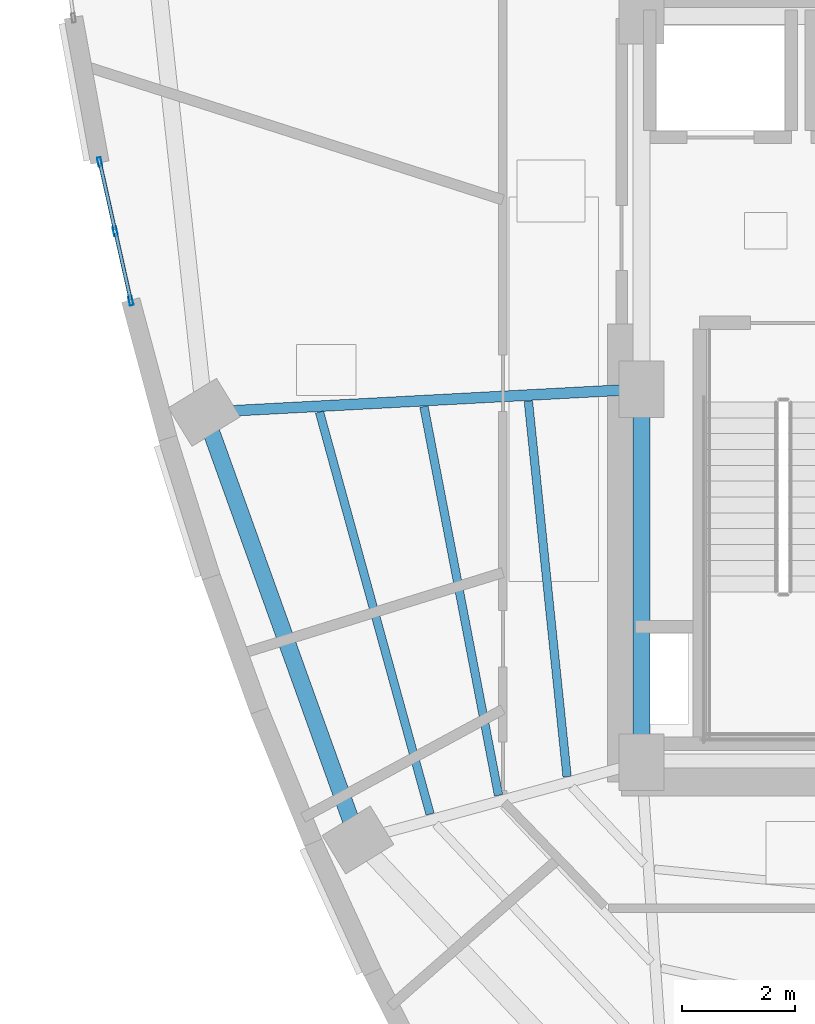
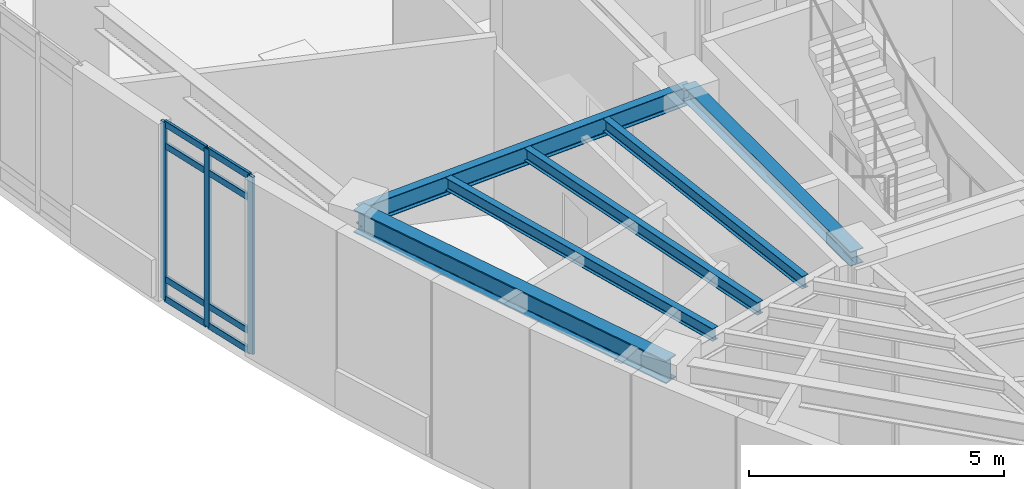
# One storey, part 3 of 14: 11 members, 6 beams, 1 element without a shape of its own.
"""IFC4 building model written with IfcOpenShell, lengths in metres."""

from ifc_helpers import new_model, si_unit, direction, frame, origin, origin_2d, place, context, subcontext, project, spatial, hollow_rectangle, i_section, extrude, material, layer, layer_set, material_profile, profile_set, type_object, element, aggregate, save


model = new_model("IFC4")

# Units and contexts
model_context = context("Model", 3, precision=1e-05, world=origin(), true_north=direction((0.0, 1.0)))
body_context = subcontext(model_context, "Body", "Model", "MODEL_VIEW")
ifc_project = project(units=[si_unit("LENGTHUNIT", "METRE"), si_unit("AREAUNIT", "SQUARE_METRE"), si_unit("VOLUMEUNIT", "CUBIC_METRE"), si_unit("PLANEANGLEUNIT", "RADIAN"), si_unit("MASSUNIT", "GRAM", prefix="KILO")], contexts=[model_context])

# Site, building, storey
site_placement = place(None, origin())
site = spatial("IfcSite", under=ifc_project, at=site_placement, CompositionType="ELEMENT")
building_placement = place(site_placement, origin())
building = spatial("IfcBuilding", under=site, at=building_placement, Name="Ndelora Gate Hotel", CompositionType="ELEMENT")
storey_placement = place(building_placement, frame((0.0, 0.0, 178.25)))
storey = spatial("IfcBuildingStorey", under=building, at=storey_placement, Name="L44", CompositionType="ELEMENT", Elevation=178.25)

# Beams
ifc_material_1 = material(Name="Steel S355", Category="steel")
ifc_material_profile_1 = material_profile(ifc_material_1, i_section(OverallWidth=0.300048828125, OverallDepth=0.35009765625, WebThickness=0.010009765625, FlangeThickness=0.017578125, FilletRadius=0.027099609375, at=origin_2d()), Name="HEA 360")
ifc_profile_set_1 = profile_set([ifc_material_profile_1], Name="Steel S355")
beam_type_1 = type_object("IfcBeamType", Name="BM-CORE-350", PredefinedType="BEAM", material=ifc_profile_set_1)
beam_1_placement = place(storey_placement, frame((-8.0, -6.60009765625, 4.074951171875), z_axis=(0.0, 1.0, 0.0), x_axis=(-1.0, 0.0, 0.0)))
element("IfcBeam", 1, at=beam_1_placement, inside=storey, type_object=beam_type_1, Name="L44 Core Tie Girder CC1-CC8", PredefinedType="BEAM", context=body_context, shape_type="SweptSolid", body=[
    extrude(i_section(OverallWidth=0.300048828125, OverallDepth=0.35009765625, WebThickness=0.010009765625, FlangeThickness=0.017578125, FilletRadius=0.027099609375, at=origin_2d()), origin(), (0.0, 0.0, 1.0), 6.60009765625),
])
ifc_material_profile_2 = material_profile(ifc_material_1, i_section(OverallWidth=0.14990234375, OverallDepth=0.300048828125, WebThickness=0.007080078125, FlangeThickness=0.0107421875, FilletRadius=0.014892578125, at=origin_2d()), Name="IPE 300")
ifc_profile_set_2 = profile_set([ifc_material_profile_2], Name="Steel S355")
beam_type_2 = type_object("IfcBeamType", Name="BM-JST-300", PredefinedType="JOIST", material=ifc_profile_set_2)
beam_2_placement = place(storey_placement, frame((-9.9990234375, -0.21142578125, 4.10009765625), z_axis=(0.10260596827, -0.994722079415, 0.0), x_axis=(0.994722079415, 0.10260596827, 0.0)))
element("IfcBeam", 2, at=beam_2_placement, inside=storey, type_object=beam_type_2, Name="L44 Secondary Composite Floor Joist IN-2", PredefinedType="JOIST", context=body_context, shape_type="SweptSolid", body=[
    extrude(i_section(OverallWidth=0.14990234375, OverallDepth=0.300048828125, WebThickness=0.007080078125, FlangeThickness=0.0107421875, FilletRadius=0.014892578125, at=origin_2d()), origin(), (0.0, 0.0, 1.0), 6.676513671875),
])
beam_3_placement = place(storey_placement, frame((-11.84521484375, -0.30908203125, 4.10009765625), z_axis=(0.188470955684, -0.982078764083, 0.0), x_axis=(0.982078764083, 0.188470955684, 0.0)))
element("IfcBeam", 3, at=beam_3_placement, inside=storey, type_object=beam_type_2, Name="L44 Secondary Composite Floor Joist MID-2", PredefinedType="JOIST", context=body_context, shape_type="SweptSolid", body=[
    extrude(i_section(OverallWidth=0.14990234375, OverallDepth=0.300048828125, WebThickness=0.007080078125, FlangeThickness=0.0107421875, FilletRadius=0.014892578125, at=origin_2d()), origin(), (0.0, 0.0, 1.0), 7.000244140625),
])
beam_4_placement = place(storey_placement, frame((-13.6923828125, -0.406005859375, 4.10009765625), z_axis=(0.2652180483, -0.964188460238, 0.0), x_axis=(0.964188460238, 0.2652180483, 0.0)))
element("IfcBeam", 4, at=beam_4_placement, inside=storey, type_object=beam_type_2, Name="L44 Secondary Composite Floor Joist OUT-2", PredefinedType="JOIST", context=body_context, shape_type="SweptSolid", body=[
    extrude(i_section(OverallWidth=0.14990234375, OverallDepth=0.300048828125, WebThickness=0.007080078125, FlangeThickness=0.0107421875, FilletRadius=0.014892578125, at=origin_2d()), origin(), (0.0, 0.0, 1.0), 7.37353515625),
])
ifc_material_profile_3 = material_profile(ifc_material_1, i_section(OverallWidth=0.18994140625, OverallDepth=0.449951171875, WebThickness=0.009521484375, FlangeThickness=0.0146484375, FilletRadius=0.02099609375, at=origin_2d()), Name="IPE 450")
ifc_profile_set_3 = profile_set([ifc_material_profile_3], Name="Steel S355")
beam_type_3 = type_object("IfcBeamType", Name="BM-RAD-450", PredefinedType="BEAM", material=ifc_profile_set_3)
beam_5_placement = place(storey_placement, frame((-8.0, 0.0, 4.02490234375), z_axis=(-0.998583554121, -0.053206065814, 0.0), x_axis=(0.053206065814, -0.998583554121, 0.0)))
element("IfcBeam", 5, at=beam_5_placement, inside=storey, type_object=beam_type_3, Name="L44 Radial Floor Girder 2", PredefinedType="BEAM", context=body_context, shape_type="SweptSolid", body=[
    extrude(i_section(OverallWidth=0.18994140625, OverallDepth=0.449951171875, WebThickness=0.009521484375, FlangeThickness=0.0146484375, FilletRadius=0.02099609375, at=origin_2d()), origin(), (0.0, 0.0, 1.0), 7.740966796875),
])
ifc_material_profile_4 = material_profile(ifc_material_1, i_section(OverallWidth=0.300048828125, OverallDepth=0.550048828125, WebThickness=0.014892578125, FlangeThickness=0.029052734375, FilletRadius=0.027099609375, at=origin_2d()), Name="HEB 550")
ifc_profile_set_4 = profile_set([ifc_material_profile_4], Name="Steel S355")
beam_type_4 = type_object("IfcBeamType", Name="BM-RING-550", PredefinedType="SPANDREL", material=ifc_profile_set_4)
beam_6_placement = place(storey_placement, frame((-15.72998046875, -0.411865234375, 3.97509765625), z_axis=(0.338244972382, -0.941058095262, 0.0), x_axis=(0.941058095262, 0.338244972382, 0.0)))
element("IfcBeam", 6, at=beam_6_placement, inside=storey, type_object=beam_type_4, Name="L44 Perimeter Spandrel Girder 2", PredefinedType="SPANDREL", context=body_context, shape_type="SweptSolid", body=[
    extrude(i_section(OverallWidth=0.300048828125, OverallDepth=0.550048828125, WebThickness=0.014892578125, FlangeThickness=0.029052734375, FilletRadius=0.027099609375, at=origin_2d()), origin(), (0.0, 0.0, 1.0), 8.03564453125),
])

# Curtain wall, members
ifc_material_2 = material(Name="Bronze Anodised Unitised Aluminium and Low-E Glass", Category="aluminium")
ifc_layer = layer(ifc_material_2, 0.2099609375)
ifc_layer_set = layer_set([ifc_layer], Name="Bronze Anodised Unitised Aluminium and Low-E Glass")
curtain_wall_type = type_object("IfcCurtainWallType", Name="CW-SYS-5", PredefinedType="NOTDEFINED", material=ifc_layer_set)
curtain_wall_placement = place(storey_placement, origin())
curtain_wall = element("IfcCurtainWall", 7, at=curtain_wall_placement, inside=storey, type_object=curtain_wall_type, Name="L44 Upper Sky-Lobby & Altitude Fitness Curtain Wall 2", PredefinedType="NOTDEFINED")
ifc_material_3 = material(Name="Bronze Anodised Aluminium 6063-T6", Category="aluminium")
ifc_material_profile_5 = material_profile(ifc_material_3, hollow_rectangle(XDim=0.06494140625, YDim=0.159912109375, WallThickness=0.00390625, InnerFilletRadius=0.00390625, OuterFilletRadius=0.008056640625, at=origin_2d()), Name="ALU 160x65x4")
ifc_profile_set_5 = profile_set([ifc_material_profile_5], Name="Bronze Anodised Aluminium 6063-T6")
member_type_1 = type_object("IfcMemberType", Name="MB-CW-MUL150", PredefinedType="MULLION", material=ifc_profile_set_5)
member_1_placement = place(storey_placement, frame((-17.57861328125, 4.01708984375, -0.00390625), z_axis=(0.0, 0.0, 1.0), x_axis=(0.975738541087, 0.218939031323, 0.0)))
member_1 = element("IfcMember", 8, at=member_1_placement, type_object=member_type_1, Name="CW5 mullion 1", PredefinedType="MULLION", context=body_context, shape_type="SweptSolid", body=[
    extrude(hollow_rectangle(XDim=0.06494140625, YDim=0.159912109375, WallThickness=0.00390625, InnerFilletRadius=0.00390625, OuterFilletRadius=0.008056640625, at=origin_2d()), origin(), (0.0, 0.0, 1.0), 4.2578125),
])
member_2_placement = place(storey_placement, frame((-17.302978515625, 2.788818359375, -0.00390625), z_axis=(0.0, 0.0, 1.0), x_axis=(0.975738541087, 0.218939031323, 0.0)))
member_2 = element("IfcMember", 9, at=member_2_placement, type_object=member_type_1, Name="CW5 mullion 2", PredefinedType="MULLION", context=body_context, shape_type="SweptSolid", body=[
    extrude(hollow_rectangle(XDim=0.06494140625, YDim=0.159912109375, WallThickness=0.00390625, InnerFilletRadius=0.00390625, OuterFilletRadius=0.008056640625, at=origin_2d()), origin(), (0.0, 0.0, 1.0), 4.2578125),
])
member_3_placement = place(storey_placement, frame((-17.027587890625, 1.560546875, -0.00390625), z_axis=(0.0, 0.0, 1.0), x_axis=(0.975738541087, 0.218939031323, 0.0)))
member_3 = element("IfcMember", 10, at=member_3_placement, type_object=member_type_1, Name="CW5 mullion 3", PredefinedType="MULLION", context=body_context, shape_type="SweptSolid", body=[
    extrude(hollow_rectangle(XDim=0.06494140625, YDim=0.159912109375, WallThickness=0.00390625, InnerFilletRadius=0.00390625, OuterFilletRadius=0.008056640625, at=origin_2d()), origin(), (0.0, 0.0, 1.0), 4.2578125),
])
ifc_material_profile_6 = material_profile(ifc_material_3, hollow_rectangle(XDim=0.06494140625, YDim=0.159912109375, WallThickness=0.00390625, InnerFilletRadius=0.00390625, OuterFilletRadius=0.008056640625, at=origin_2d()), Name="ALU 160x65x4")
ifc_profile_set_6 = profile_set([ifc_material_profile_6], Name="Bronze Anodised Aluminium 6063-T6")
member_type_2 = type_object("IfcMemberType", Name="MB-CW-TRN150", PredefinedType="USERDEFINED", material=ifc_profile_set_6)
member_4_placement = place(storey_placement, frame((-17.572998046875, 3.9912109375, 0.032470703125), z_axis=(0.219073746509, -0.975708303537, 0.0), x_axis=(0.975708303537, 0.219073746509, 0.0)))
member_4 = element("IfcMember", 11, at=member_4_placement, type_object=member_type_2, Name="CW5 transom 1.1", ObjectType="TRANSOM", PredefinedType="USERDEFINED", context=body_context, shape_type="SweptSolid", body=[
    extrude(hollow_rectangle(XDim=0.06494140625, YDim=0.159912109375, WallThickness=0.00390625, InnerFilletRadius=0.00390625, OuterFilletRadius=0.008056640625, at=origin_2d()), origin(), (0.0, 0.0, 1.0), 1.205810546875),
])
member_5_placement = place(storey_placement, frame((-17.572998046875, 3.9912109375, 0.5), z_axis=(0.219073746509, -0.975708303537, 0.0), x_axis=(0.975708303537, 0.219073746509, 0.0)))
member_5 = element("IfcMember", 12, at=member_5_placement, type_object=member_type_2, Name="CW5 transom 1.2", ObjectType="TRANSOM", PredefinedType="USERDEFINED", context=body_context, shape_type="SweptSolid", body=[
    extrude(hollow_rectangle(XDim=0.06494140625, YDim=0.159912109375, WallThickness=0.00390625, InnerFilletRadius=0.00390625, OuterFilletRadius=0.008056640625, at=origin_2d()), origin(), (0.0, 0.0, 1.0), 1.205810546875),
])
member_6_placement = place(storey_placement, frame((-17.572998046875, 3.9912109375, 3.699951171875), z_axis=(0.219073746509, -0.975708303537, 0.0), x_axis=(0.975708303537, 0.219073746509, 0.0)))
member_6 = element("IfcMember", 13, at=member_6_placement, type_object=member_type_2, Name="CW5 transom 1.3", ObjectType="TRANSOM", PredefinedType="USERDEFINED", context=body_context, shape_type="SweptSolid", body=[
    extrude(hollow_rectangle(XDim=0.06494140625, YDim=0.159912109375, WallThickness=0.00390625, InnerFilletRadius=0.00390625, OuterFilletRadius=0.008056640625, at=origin_2d()), origin(), (0.0, 0.0, 1.0), 1.205810546875),
])
member_7_placement = place(storey_placement, frame((-17.572998046875, 3.9912109375, 4.217529296875), z_axis=(0.219073746509, -0.975708303537, 0.0), x_axis=(0.975708303537, 0.219073746509, 0.0)))
member_7 = element("IfcMember", 14, at=member_7_placement, type_object=member_type_2, Name="CW5 transom 1.4", ObjectType="TRANSOM", PredefinedType="USERDEFINED", context=body_context, shape_type="SweptSolid", body=[
    extrude(hollow_rectangle(XDim=0.06494140625, YDim=0.159912109375, WallThickness=0.00390625, InnerFilletRadius=0.00390625, OuterFilletRadius=0.008056640625, at=origin_2d()), origin(), (0.0, 0.0, 1.0), 1.205810546875),
])
member_8_placement = place(storey_placement, frame((-17.29736328125, 2.762939453125, 0.032470703125), z_axis=(0.219073746509, -0.975708303537, 0.0), x_axis=(0.975708303537, 0.219073746509, 0.0)))
member_8 = element("IfcMember", 15, at=member_8_placement, type_object=member_type_2, Name="CW5 transom 2.1", ObjectType="TRANSOM", PredefinedType="USERDEFINED", context=body_context, shape_type="SweptSolid", body=[
    extrude(hollow_rectangle(XDim=0.06494140625, YDim=0.159912109375, WallThickness=0.00390625, InnerFilletRadius=0.00390625, OuterFilletRadius=0.008056640625, at=origin_2d()), origin(), (0.0, 0.0, 1.0), 1.205810546875),
])
member_9_placement = place(storey_placement, frame((-17.29736328125, 2.762939453125, 0.5), z_axis=(0.219073746509, -0.975708303537, 0.0), x_axis=(0.975708303537, 0.219073746509, 0.0)))
member_9 = element("IfcMember", 16, at=member_9_placement, type_object=member_type_2, Name="CW5 transom 2.2", ObjectType="TRANSOM", PredefinedType="USERDEFINED", context=body_context, shape_type="SweptSolid", body=[
    extrude(hollow_rectangle(XDim=0.06494140625, YDim=0.159912109375, WallThickness=0.00390625, InnerFilletRadius=0.00390625, OuterFilletRadius=0.008056640625, at=origin_2d()), origin(), (0.0, 0.0, 1.0), 1.205810546875),
])
member_10_placement = place(storey_placement, frame((-17.29736328125, 2.762939453125, 3.699951171875), z_axis=(0.219073746509, -0.975708303537, 0.0), x_axis=(0.975708303537, 0.219073746509, 0.0)))
member_10 = element("IfcMember", 17, at=member_10_placement, type_object=member_type_2, Name="CW5 transom 2.3", ObjectType="TRANSOM", PredefinedType="USERDEFINED", context=body_context, shape_type="SweptSolid", body=[
    extrude(hollow_rectangle(XDim=0.06494140625, YDim=0.159912109375, WallThickness=0.00390625, InnerFilletRadius=0.00390625, OuterFilletRadius=0.008056640625, at=origin_2d()), origin(), (0.0, 0.0, 1.0), 1.205810546875),
])
member_11_placement = place(storey_placement, frame((-17.29736328125, 2.762939453125, 4.217529296875), z_axis=(0.219073746509, -0.975708303537, 0.0), x_axis=(0.975708303537, 0.219073746509, 0.0)))
member_11 = element("IfcMember", 18, at=member_11_placement, type_object=member_type_2, Name="CW5 transom 2.4", ObjectType="TRANSOM", PredefinedType="USERDEFINED", context=body_context, shape_type="SweptSolid", body=[
    extrude(hollow_rectangle(XDim=0.06494140625, YDim=0.159912109375, WallThickness=0.00390625, InnerFilletRadius=0.00390625, OuterFilletRadius=0.008056640625, at=origin_2d()), origin(), (0.0, 0.0, 1.0), 1.205810546875),
])
aggregate(curtain_wall, [member_1, member_2, member_3, member_4, member_5, member_6, member_7, member_8, member_9, member_10, member_11])

save(model, "model.ifc")
